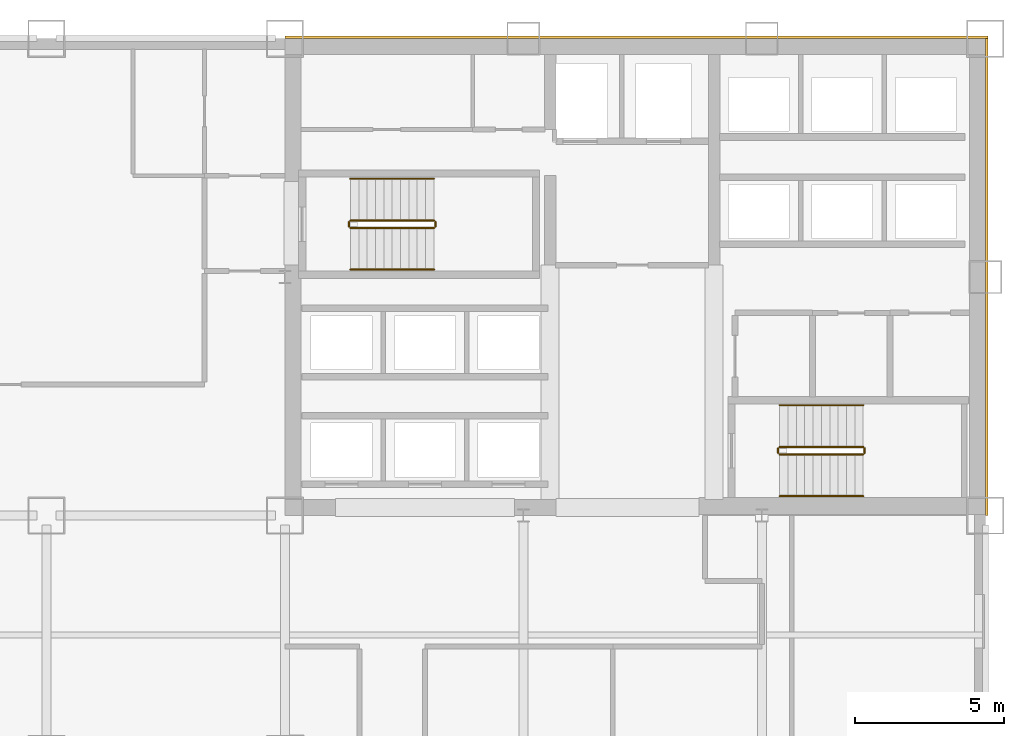
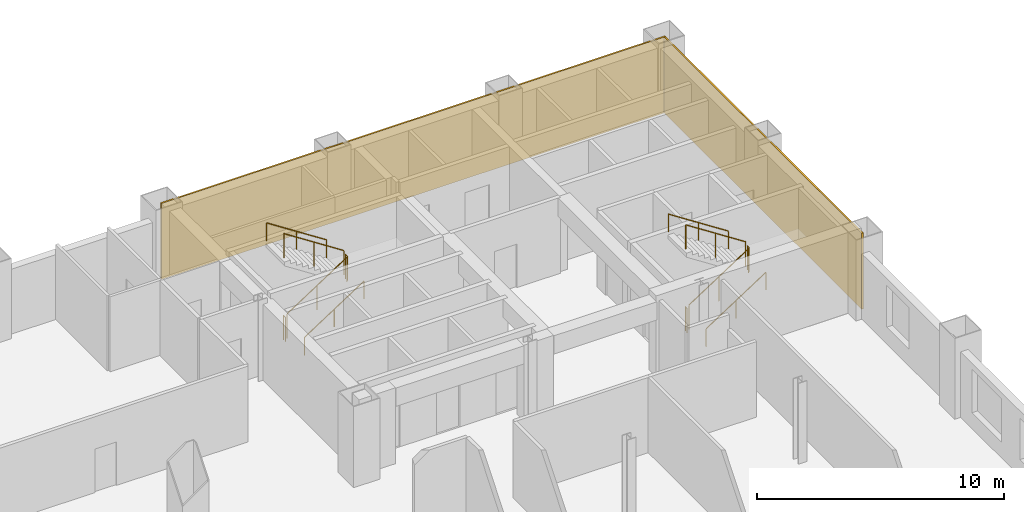
# One storey, part 9 of 9: 12 railings, 2 coverings.
"""IFC4 building model written with IfcOpenShell, lengths in metres."""

from ifc_helpers import new_model, si_unit, direction, frame, origin, origin_2d, place, context, subcontext, project, spatial, rectangle, circle, extrude, material, layer, layer_set, type_object, element, save


model = new_model("IFC4")

# Units and contexts
model_context = context("Model", 3, precision=1e-05, world=origin(), true_north=direction((0.0, 1.0)))
body_context = subcontext(model_context, "Body", "Model", "MODEL_VIEW")
ifc_project = project(units=[si_unit("LENGTHUNIT", "METRE"), si_unit("AREAUNIT", "SQUARE_METRE"), si_unit("VOLUMEUNIT", "CUBIC_METRE"), si_unit("PLANEANGLEUNIT", "RADIAN"), si_unit("MASSUNIT", "GRAM", prefix="KILO")], contexts=[model_context])

# Site, building, storey
site_placement = place(None, origin())
site = spatial("IfcSite", under=ifc_project, at=site_placement, CompositionType="ELEMENT")
building_placement = place(site_placement, origin())
building = spatial("IfcBuilding", under=site, at=building_placement, Name="Qianrong Seaharbour Tower", CompositionType="ELEMENT")
storey_placement = place(building_placement, frame((0.0, 0.0, 76.199951171875)))
storey = spatial("IfcBuildingStorey", under=building, at=storey_placement, Name="L18", CompositionType="ELEMENT", Elevation=76.199951171875)

# Coverings
ifc_material_1 = material(Name="Unitised red brick cladding on Precast concrete C45/55", Category="masonry")
ifc_layer = layer(ifc_material_1, 0.080078125)
ifc_layer_set = layer_set([ifc_layer], Name="Unitised red brick cladding on Precast concrete C45/55")
covering_type = type_object("IfcCoveringType", Name="COV-CLAD-RED-BRICK-80", PredefinedType="CLADDING", material=ifc_layer_set)
covering_1_placement = place(storey_placement, frame((52.2900390625, 52.0400390625, 0.0), z_axis=(0.0, 0.0, 1.0), x_axis=(1.0, 0.0, 0.0)))
element("IfcCovering", 1, at=covering_1_placement, inside=storey, type_object=covering_type, Name="L18 North Core Brick Veneer Cladding", PredefinedType="CLADDING", context=body_context, shape_type="SweptSolid", body=[
    extrude(rectangle(XDim=23.580078125, YDim=0.080078125, at=origin_2d()), origin(), (0.0, 0.0, 1.0), 3.75),
])
covering_2_placement = place(storey_placement, frame((64.0400390625, 44.0, 0.0), z_axis=(0.0, 0.0, 1.0), x_axis=(1.0, 0.0, 0.0)))
element("IfcCovering", 2, at=covering_2_placement, inside=storey, type_object=covering_type, Name="L18 East Core Brick Veneer Cladding", PredefinedType="CLADDING", context=body_context, shape_type="SweptSolid", body=[
    extrude(rectangle(XDim=0.080078125, YDim=16.0, at=origin_2d()), origin(), (0.0, 0.0, 1.0), 3.75),
])

# Railings
ifc_material_2 = material(Name="Galvanized painted steel SN400B stair guard", Category="steel")
railing_type_1 = type_object("IfcRailingType", Name="RAIL-STAIR-GUARD-1220", PredefinedType="GUARDRAIL", material=ifc_material_2)
railing_1_placement = place(storey_placement, frame((42.699951171875, 45.64990234375, 0.181884765625)))
element("IfcRailing", 3, at=railing_1_placement, inside=storey, type_object=railing_type_1, Name="L18 ST-1 stair guard 1", PredefinedType="GUARDRAIL", context=body_context, shape_type="SweptSolid", body=[
    extrude(circle(Radius=0.02392578125, at=origin_2d()), frame((0.0, 0.0, 1.19580078125), z_axis=(0.838705829183, 0.0, 0.544584733623), x_axis=(0.0, 1.0, 0.0)), (0.0, 0.0, 1.0), 3.338623046875),
    extrude(circle(Radius=0.02099609375, at=origin_2d()), origin(), (0.0, 0.0, 1.0), 1.171875),
    extrude(circle(Radius=0.02099609375, at=origin_2d()), frame((1.39990234375, 0.0, 0.9091796875)), (0.0, 0.0, 1.0), 1.171875),
    extrude(circle(Radius=0.02099609375, at=origin_2d()), frame((2.800048828125, 0.0, 1.818115234375)), (0.0, 0.0, 1.0), 1.171875),
])
railing_2_placement = place(storey_placement, frame((45.550048828125, 45.699951171875, 2.0)))
element("IfcRailing", 4, at=railing_2_placement, inside=storey, type_object=railing_type_1, Name="L18 ST-1 stair guard 2", PredefinedType="GUARDRAIL", context=body_context, shape_type="SweptSolid", body=[
    extrude(circle(Radius=0.02392578125, at=origin_2d()), frame((0.0, 0.0, 1.19580078125), z_axis=(0.0, 1.0, 0.0), x_axis=(-1.0, 0.0, 0.0)), (0.0, 0.0, 1.0), 0.150146484375),
    extrude(circle(Radius=0.02099609375, at=origin_2d()), origin(), (0.0, 0.0, 1.0), 1.171875),
    extrude(circle(Radius=0.02099609375, at=origin_2d()), frame((0.0, 0.150146484375, 0.0)), (0.0, 0.0, 1.0), 1.171875),
])
railing_3_placement = place(storey_placement, frame((45.5, 45.89990234375, 2.181884765625)))
element("IfcRailing", 5, at=railing_3_placement, inside=storey, type_object=railing_type_1, Name="L18 ST-1 stair guard 3", PredefinedType="GUARDRAIL", context=body_context, shape_type="SweptSolid", body=[
    extrude(circle(Radius=0.02392578125, at=origin_2d()), frame((0.0, 0.0, 1.19580078125), z_axis=(-0.838705829183, 0.0, 0.544584733623), x_axis=(0.0, -1.0, 0.0)), (0.0, 0.0, 1.0), 3.338623046875),
    extrude(circle(Radius=0.02099609375, at=origin_2d()), origin(), (0.0, 0.0, 1.0), 1.171875),
    extrude(circle(Radius=0.02099609375, at=origin_2d()), frame((-1.39990234375, 0.0, 0.9091796875)), (0.0, 0.0, 1.0), 1.171875),
    extrude(circle(Radius=0.02099609375, at=origin_2d()), frame((-2.800048828125, 0.0, 1.818115234375)), (0.0, 0.0, 1.0), 1.171875),
])
railing_4_placement = place(storey_placement, frame((42.64990234375, 45.699951171875, 0.0)))
element("IfcRailing", 6, at=railing_4_placement, inside=storey, type_object=railing_type_1, Name="L18 ST-1 stair guard 4", PredefinedType="GUARDRAIL", context=body_context, shape_type="SweptSolid", body=[
    extrude(circle(Radius=0.02392578125, at=origin_2d()), frame((0.0, 0.0, 1.19580078125), z_axis=(0.0, 1.0, 0.0), x_axis=(-1.0, 0.0, 0.0)), (0.0, 0.0, 1.0), 0.150146484375),
    extrude(circle(Radius=0.02099609375, at=origin_2d()), origin(), (0.0, 0.0, 1.0), 1.171875),
    extrude(circle(Radius=0.02099609375, at=origin_2d()), frame((0.0, 0.150146484375, 0.0)), (0.0, 0.0, 1.0), 1.171875),
])
railing_5_placement = place(storey_placement, frame((57.10009765625, 38.050048828125, 0.181884765625)))
element("IfcRailing", 7, at=railing_5_placement, inside=storey, type_object=railing_type_1, Name="L18 ST-2 stair guard 1", PredefinedType="GUARDRAIL", context=body_context, shape_type="SweptSolid", body=[
    extrude(circle(Radius=0.02392578125, at=origin_2d()), frame((0.0, 0.0, 1.19580078125), z_axis=(0.83868413941, 0.0, 0.544618136222), x_axis=(0.0, 1.0, 0.0)), (0.0, 0.0, 1.0), 3.33837890625),
    extrude(circle(Radius=0.02099609375, at=origin_2d()), origin(), (0.0, 0.0, 1.0), 1.171875),
    extrude(circle(Radius=0.02099609375, at=origin_2d()), frame((1.39990234375, 0.0, 0.9091796875)), (0.0, 0.0, 1.0), 1.171875),
    extrude(circle(Radius=0.02099609375, at=origin_2d()), frame((2.7998046875, 0.0, 1.818115234375)), (0.0, 0.0, 1.0), 1.171875),
])
railing_6_placement = place(storey_placement, frame((59.949951171875, 38.10009765625, 2.0)))
element("IfcRailing", 8, at=railing_6_placement, inside=storey, type_object=railing_type_1, Name="L18 ST-2 stair guard 2", PredefinedType="GUARDRAIL", context=body_context, shape_type="SweptSolid", body=[
    extrude(circle(Radius=0.02392578125, at=origin_2d()), frame((0.0, 0.0, 1.19580078125), z_axis=(0.0, 1.0, 0.0), x_axis=(-1.0, 0.0, 0.0)), (0.0, 0.0, 1.0), 0.14990234375),
    extrude(circle(Radius=0.02099609375, at=origin_2d()), origin(), (0.0, 0.0, 1.0), 1.171875),
    extrude(circle(Radius=0.02099609375, at=origin_2d()), frame((0.0, 0.14990234375, 0.0)), (0.0, 0.0, 1.0), 1.171875),
])
railing_7_placement = place(storey_placement, frame((59.89990234375, 38.300048828125, 2.181884765625)))
element("IfcRailing", 9, at=railing_7_placement, inside=storey, type_object=railing_type_1, Name="L18 ST-2 stair guard 3", PredefinedType="GUARDRAIL", context=body_context, shape_type="SweptSolid", body=[
    extrude(circle(Radius=0.02392578125, at=origin_2d()), frame((0.0, 0.0, 1.19580078125), z_axis=(-0.83868413941, 0.0, 0.544618136222), x_axis=(0.0, -1.0, 0.0)), (0.0, 0.0, 1.0), 3.33837890625),
    extrude(circle(Radius=0.02099609375, at=origin_2d()), origin(), (0.0, 0.0, 1.0), 1.171875),
    extrude(circle(Radius=0.02099609375, at=origin_2d()), frame((-1.39990234375, 0.0, 0.9091796875)), (0.0, 0.0, 1.0), 1.171875),
    extrude(circle(Radius=0.02099609375, at=origin_2d()), frame((-2.7998046875, 0.0, 1.818115234375)), (0.0, 0.0, 1.0), 1.171875),
])
railing_8_placement = place(storey_placement, frame((57.050048828125, 38.10009765625, 0.0)))
element("IfcRailing", 10, at=railing_8_placement, inside=storey, type_object=railing_type_1, Name="L18 ST-2 stair guard 4", PredefinedType="GUARDRAIL", context=body_context, shape_type="SweptSolid", body=[
    extrude(circle(Radius=0.02392578125, at=origin_2d()), frame((0.0, 0.0, 1.19580078125), z_axis=(0.0, 1.0, 0.0), x_axis=(-1.0, 0.0, 0.0)), (0.0, 0.0, 1.0), 0.14990234375),
    extrude(circle(Radius=0.02099609375, at=origin_2d()), origin(), (0.0, 0.0, 1.0), 1.171875),
    extrude(circle(Radius=0.02099609375, at=origin_2d()), frame((0.0, 0.14990234375, 0.0)), (0.0, 0.0, 1.0), 1.171875),
])
ifc_material_3 = material(Name="Stainless steel SUS316L continuous handrail", Category="steel")
railing_type_2 = type_object("IfcRailingType", Name="RAIL-STAIR-HANDRAIL-900", PredefinedType="HANDRAIL", material=ifc_material_3)
railing_9_placement = place(storey_placement, frame((42.699951171875, 44.25, 0.181884765625)))
element("IfcRailing", 11, at=railing_9_placement, inside=storey, type_object=railing_type_2, Name="L18 ST-1 stair handrail 1", PredefinedType="HANDRAIL", context=body_context, shape_type="SweptSolid", body=[
    extrude(circle(Radius=0.02392578125, at=origin_2d()), frame((0.0, 0.0, 0.8759765625), z_axis=(0.838705829183, 0.0, 0.544584733623), x_axis=(0.0, 1.0, 0.0)), (0.0, 0.0, 1.0), 3.338623046875),
    extrude(circle(Radius=0.02099609375, at=origin_2d()), origin(), (0.0, 0.0, 1.0), 0.851806640625),
    extrude(circle(Radius=0.02099609375, at=origin_2d()), frame((1.39990234375, 0.0, 0.9091796875)), (0.0, 0.0, 1.0), 0.851806640625),
    extrude(circle(Radius=0.02099609375, at=origin_2d()), frame((2.800048828125, 0.0, 1.818115234375)), (0.0, 0.0, 1.0), 0.851806640625),
])
railing_10_placement = place(storey_placement, frame((45.5, 47.300048828125, 2.181884765625)))
element("IfcRailing", 12, at=railing_10_placement, inside=storey, type_object=railing_type_2, Name="L18 ST-1 stair handrail 2", PredefinedType="HANDRAIL", context=body_context, shape_type="SweptSolid", body=[
    extrude(circle(Radius=0.02392578125, at=origin_2d()), frame((0.0, 0.0, 0.8759765625), z_axis=(-0.838705829183, 0.0, 0.544584733623), x_axis=(0.0, -1.0, 0.0)), (0.0, 0.0, 1.0), 3.338623046875),
    extrude(circle(Radius=0.02099609375, at=origin_2d()), origin(), (0.0, 0.0, 1.0), 0.851806640625),
    extrude(circle(Radius=0.02099609375, at=origin_2d()), frame((-1.39990234375, 0.0, 0.9091796875)), (0.0, 0.0, 1.0), 0.851806640625),
    extrude(circle(Radius=0.02099609375, at=origin_2d()), frame((-2.800048828125, 0.0, 1.818115234375)), (0.0, 0.0, 1.0), 0.851806640625),
])
railing_11_placement = place(storey_placement, frame((57.10009765625, 36.64990234375, 0.181884765625)))
element("IfcRailing", 13, at=railing_11_placement, inside=storey, type_object=railing_type_2, Name="L18 ST-2 stair handrail 1", PredefinedType="HANDRAIL", context=body_context, shape_type="SweptSolid", body=[
    extrude(circle(Radius=0.02392578125, at=origin_2d()), frame((0.0, 0.0, 0.8759765625), z_axis=(0.83868413941, 0.0, 0.544618136222), x_axis=(0.0, 1.0, 0.0)), (0.0, 0.0, 1.0), 3.33837890625),
    extrude(circle(Radius=0.02099609375, at=origin_2d()), origin(), (0.0, 0.0, 1.0), 0.851806640625),
    extrude(circle(Radius=0.02099609375, at=origin_2d()), frame((1.39990234375, 0.0, 0.9091796875)), (0.0, 0.0, 1.0), 0.851806640625),
    extrude(circle(Radius=0.02099609375, at=origin_2d()), frame((2.7998046875, 0.0, 1.818115234375)), (0.0, 0.0, 1.0), 0.851806640625),
])
railing_12_placement = place(storey_placement, frame((59.89990234375, 39.699951171875, 2.181884765625)))
element("IfcRailing", 14, at=railing_12_placement, inside=storey, type_object=railing_type_2, Name="L18 ST-2 stair handrail 2", PredefinedType="HANDRAIL", context=body_context, shape_type="SweptSolid", body=[
    extrude(circle(Radius=0.02392578125, at=origin_2d()), frame((0.0, 0.0, 0.8759765625), z_axis=(-0.83868413941, 0.0, 0.544618136222), x_axis=(0.0, -1.0, 0.0)), (0.0, 0.0, 1.0), 3.33837890625),
    extrude(circle(Radius=0.02099609375, at=origin_2d()), origin(), (0.0, 0.0, 1.0), 0.851806640625),
    extrude(circle(Radius=0.02099609375, at=origin_2d()), frame((-1.39990234375, 0.0, 0.9091796875)), (0.0, 0.0, 1.0), 0.851806640625),
    extrude(circle(Radius=0.02099609375, at=origin_2d()), frame((-2.7998046875, 0.0, 1.818115234375)), (0.0, 0.0, 1.0), 0.851806640625),
])

save(model, "model.ifc")
